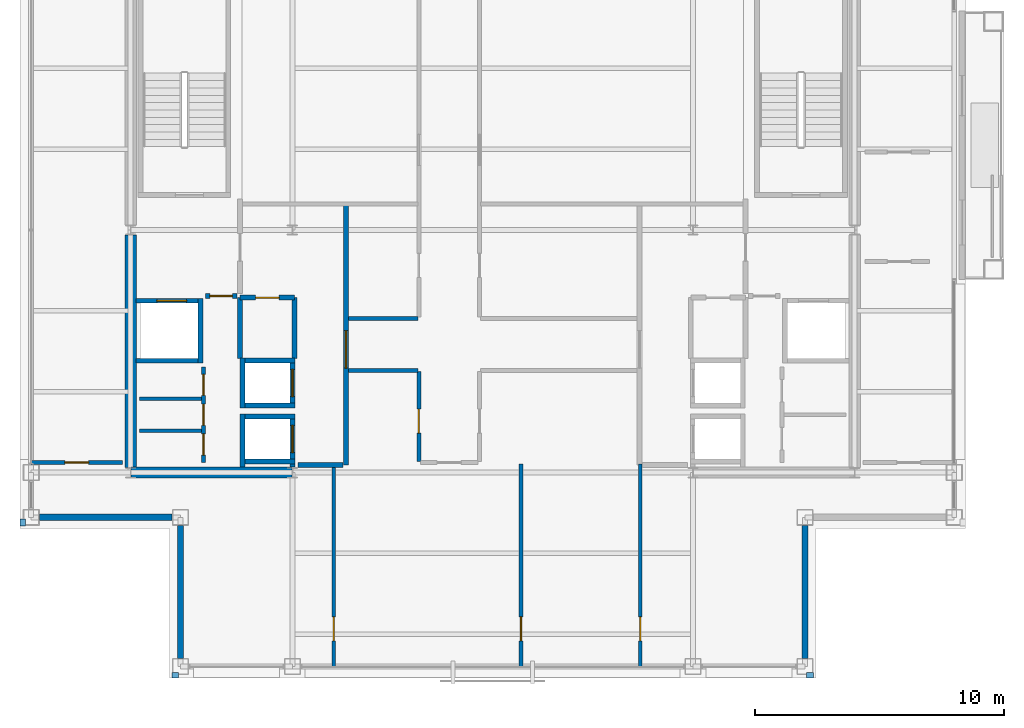
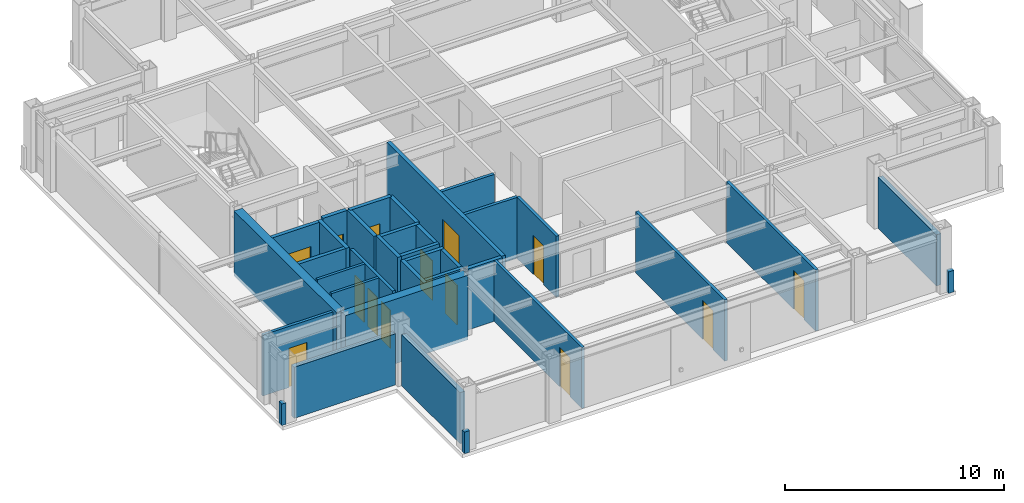
# One storey, part 19 of 24: 35 walls, 14 doors, 14 openings.
"""IFC4 building model written with IfcOpenShell, lengths in metres."""

from ifc_helpers import new_model, si_unit, direction, frame, frame_2d, origin, place, context, subcontext, project, spatial, rectangle, extrude, material, layer, layer_set, type_object, element, fill, save


model = new_model("IFC4")

# Units and contexts
model_context = context("Model", 3, precision=1e-05, world=origin(), true_north=direction((0.0, 1.0)))
body_context = subcontext(model_context, "Body", "Model", "MODEL_VIEW")
ifc_project = project(units=[si_unit("LENGTHUNIT", "METRE"), si_unit("AREAUNIT", "SQUARE_METRE"), si_unit("VOLUMEUNIT", "CUBIC_METRE"), si_unit("PLANEANGLEUNIT", "RADIAN"), si_unit("MASSUNIT", "GRAM", prefix="KILO")], contexts=[model_context])

# Site, building, storey
site_placement = place(None, origin())
site = spatial("IfcSite", under=ifc_project, at=site_placement, CompositionType="ELEMENT")
building_placement = place(site_placement, origin())
building = spatial("IfcBuilding", under=site, at=building_placement, Name="Brelmoor Portico Tower", CompositionType="ELEMENT")
storey_placement = place(building_placement, frame((0.0, 0.0, 232.800048828125)))
storey = spatial("IfcBuildingStorey", under=building, at=storey_placement, Name="L61", CompositionType="ELEMENT", Elevation=232.800048828125)

# Walls
ifc_material_1 = material(Name="Concrete C50", Category="concrete")
ifc_layer_1 = layer(ifc_material_1, 0.449951171875)
ifc_layer_set_1 = layer_set([ifc_layer_1], Name="Concrete C50")
wall_type_1 = type_object("IfcWallType", Name="WL-CORE-450", PredefinedType="SHEAR", material=ifc_layer_set_1)
wall_1_placement = place(storey_placement, frame((-14.530029296875, -9.75, -0.199951171875), z_axis=(0.0, 0.0, 1.0), x_axis=(1.0, 0.0, 0.0)))
element("IfcWall", 1, at=wall_1_placement, inside=storey, type_object=wall_type_1, Name="L61 WC South Shear Wall", PredefinedType="SHEAR", context=body_context, shape_type="SweptSolid", body=[
    extrude(rectangle(XDim=6.4599609375, YDim=0.449951171875, at=frame_2d((3.22998046875, 0.0))), origin(), (0.0, 0.0, 1.0), 3.599853515625),
])
wall_2_placement = place(storey_placement, frame((-14.550048828125, -9.550048828125, -0.199951171875), z_axis=(0.0, 0.0, 1.0), x_axis=(0.0, 1.0, 0.0)))
element("IfcWall", 2, at=wall_2_placement, inside=storey, type_object=wall_type_1, Name="L61 WC Outer South Shear Wall", PredefinedType="SHEAR", context=body_context, shape_type="SweptSolid", body=[
    extrude(rectangle(XDim=9.35009765625, YDim=0.449951171875, at=frame_2d((4.675048828125, 0.0))), origin(), (0.0, 0.0, 1.0), 3.599853515625),
])
ifc_material_2 = material(Name="Precast Concrete C40 Insulated Facade Wall", Category="concrete")
ifc_layer_2 = layer(ifc_material_2, 0.25)
ifc_layer_set_2 = layer_set([ifc_layer_2], Name="Precast Concrete C40 Insulated Facade Wall")
wall_type_2 = type_object("IfcWallType", Name="WL-EXT-250", PredefinedType="STANDARD", material=ifc_layer_set_2)
for number, where, z_axis, x_axis, name in (
    (3, (-18.215087890625, -11.550048828125, 0.0), (0.0, 0.0, 1.0), (1.0, 0.0, 0.0), "L61 Corner Notch Facade Wall NSWH1"),
    (4, (-12.550048828125, -17.215087890625, 0.0), (0.0, 0.0, 1.0), (0.0, 1.0, 0.0), "L61 Corner Notch Facade Wall NSWV1"),
    (5, (12.550048828125, -17.215087890625, 0.0), (0.0, 0.0, 1.0), (0.0, 1.0, 0.0), "L61 Corner Notch Facade Wall NSEV1"),
):
    element("IfcWall", number, at=place(storey_placement, frame(where, z_axis=z_axis, x_axis=x_axis)), inside=storey, type_object=wall_type_2, Name=name, PredefinedType="STANDARD", context=body_context, shape_type="SweptSolid", body=[
        extrude(rectangle(XDim=5.330078125, YDim=0.25, at=frame_2d((2.6650390625, 0.0))), origin(), (0.0, 0.0, 1.0), 2.849853515625),
    ])
ifc_material_3 = material(Name="Concrete C40 Parapet Upstand", Category="concrete")
ifc_layer_3 = layer(ifc_material_3, 0.219970703125)
ifc_layer_set_3 = layer_set([ifc_layer_3], Name="Concrete C40 Parapet Upstand")
wall_type_3 = type_object("IfcWallType", Name="WL-PARAPET-220", PredefinedType="PARAPET", material=ifc_layer_set_3)
for number, where, z_axis, x_axis, name in (
    (6, (-12.889892578125, -17.889892578125, 0.0), (0.0, 0.0, 1.0), (1.0, 0.0, 0.0), "L61 Chamfer Vertex Parapet Pier SW1"),
    (7, (-18.889892578125, -11.889892578125, 0.0), (0.0, 0.0, 1.0), (0.0, 1.0, 0.0), "L61 Chamfer Vertex Parapet Pier SW2"),
    (8, (12.6201171875, -17.889892578125, 0.0), (0.0, 0.0, 1.0), (1.0, 0.0, 0.0), "L61 Chamfer Vertex Parapet Pier SE1"),
):
    element("IfcWall", number, at=place(storey_placement, frame(where, z_axis=z_axis, x_axis=x_axis)), inside=storey, type_object=wall_type_3, Name=name, PredefinedType="PARAPET", context=body_context, shape_type="SweptSolid", body=[
        extrude(rectangle(XDim=0.269775390625, YDim=0.219970703125, at=frame_2d((0.134765625, 0.0))), origin(), (0.0, 0.0, 1.0), 1.199951171875),
    ])
ifc_material_4 = material(Name="Insulated Stud Suite Partition", Category="gypsum")
ifc_layer_4 = layer(ifc_material_4, 0.139892578125)
ifc_layer_set_4 = layer_set([ifc_layer_4], Name="Insulated Stud Suite Partition")
wall_type_4 = type_object("IfcWallType", Name="WL-PART-140", PredefinedType="PARTITIONING", material=ifc_layer_set_4)
for number, where, z_axis, x_axis, name in (
    (9, (-11.699951171875, -8.066650390625, 0.0), (0.0, 0.0, 1.0), (-1.0, 0.0, 0.0), "L61 W Core WC Divider 1"),
    (10, (-11.699951171875, -6.783203125, 0.0), (0.0, 0.0, 1.0), (-1.0, 0.0, 0.0), "L61 W Core WC Divider 2"),
):
    element("IfcWall", number, at=place(storey_placement, frame(where, z_axis=z_axis, x_axis=x_axis)), inside=storey, type_object=wall_type_4, Name=name, PredefinedType="PARTITIONING", context=body_context, shape_type="SweptSolid", body=[
        extrude(rectangle(XDim=2.5, YDim=0.139892578125, at=frame_2d((1.25, 0.0))), origin(), (0.0, 0.0, 1.0), 3.39990234375),
    ])

# Wall, opening, door
ifc_material_5 = material(Name="Wet-Area Moisture-Resistant Partition", Category="gypsum")
ifc_layer_5 = layer(ifc_material_5, 0.14990234375)
ifc_layer_set_5 = layer_set([ifc_layer_5], Name="Wet-Area Moisture-Resistant Partition")
wall_type_5 = type_object("IfcWallType", Name="WL-PART-150", PredefinedType="PARTITIONING", material=ifc_layer_set_5)
wall_3_placement = place(storey_placement, frame((-6.3896484375, -17.56005859375, 0.0), z_axis=(0.0, 0.0, 1.0), x_axis=(0.0, 1.0, 0.0)))
wall_3 = element("IfcWall", 11, at=wall_3_placement, inside=storey, type_object=wall_type_5, Name="L61 South Suite Partition 1", PredefinedType="PARTITIONING", context=body_context, shape_type="SweptSolid", body=[
    extrude(rectangle(XDim=8.150146484375, YDim=0.14990234375, at=frame_2d((4.0751953125, 0.0))), origin(), (0.0, 0.0, 1.0), 3.39990234375),
])
opening_1_placement = place(wall_3_placement, frame((1.050048828125, 0.0, 0.0)))
opening_1 = element("IfcOpeningElement", 12, at=opening_1_placement, cuts=wall_3, Name="Opening D-IN2", PredefinedType="OPENING", context=body_context, shape_type="SweptSolid", body=[
    extrude(rectangle(XDim=0.9599609375, YDim=2.179931640625, at=frame_2d((0.47998046875, 1.08984375))), frame((0.0, 0.0849609375, 0.0), z_axis=(0.0, -1.0, 0.0), x_axis=(1.0, 0.0, 0.0)), (0.0, 0.0, 1.0), 0.169921875),
])
ifc_material_6 = material(Name="Lacquered Timber Suite Door", Category="wood")
door_type_1 = type_object("IfcDoorType", Name="DR-INT-950", OperationType="NOTDEFINED", PredefinedType="DOOR", material=ifc_material_6)
door_1_placement = place(opening_1_placement, origin())
door_1 = element("IfcDoor", 13, at=door_1_placement, inside=storey, type_object=door_type_1, Name="D-2536 L61 South Suite Connecting Door 1", OperationType="SINGLE_SWING_RIGHT", OverallHeight=2.179931640625, OverallWidth=0.9599609375, PredefinedType="DOOR", context=body_context, shape_type="SweptSolid", body=[
    extrude(rectangle(XDim=0.9599609375, YDim=2.179931640625, at=frame_2d((0.47998046875, 1.08984375))), frame((0.0, 0.02490234375, 0.0), z_axis=(0.0, -1.0, 0.0), x_axis=(1.0, 0.0, 0.0)), (0.0, 0.0, 1.0), 0.050048828125),
])
fill(opening_1, door_1)

wall_4_placement = place(storey_placement, frame((1.14111328125, -17.56005859375, 0.0), z_axis=(0.0, 0.0, 1.0), x_axis=(0.0, 1.0, 0.0)))
wall_4 = element("IfcWall", 14, at=wall_4_placement, inside=storey, type_object=wall_type_5, Name="L61 South Suite Partition 2", PredefinedType="PARTITIONING", context=body_context, shape_type="SweptSolid", body=[
    extrude(rectangle(XDim=8.150146484375, YDim=0.14990234375, at=frame_2d((4.0751953125, 0.0))), origin(), (0.0, 0.0, 1.0), 3.39990234375),
])
opening_2_placement = place(wall_4_placement, frame((1.050048828125, 0.0, 0.0)))
opening_2 = element("IfcOpeningElement", 15, at=opening_2_placement, cuts=wall_4, Name="Opening D-IN2", PredefinedType="OPENING", context=body_context, shape_type="SweptSolid", body=[
    extrude(rectangle(XDim=0.9599609375, YDim=2.179931640625, at=frame_2d((0.47998046875, 1.08984375))), frame((0.0, 0.0849609375, 0.0), z_axis=(0.0, -1.0, 0.0), x_axis=(1.0, 0.0, 0.0)), (0.0, 0.0, 1.0), 0.169921875),
])
door_2_placement = place(opening_2_placement, origin())
door_2 = element("IfcDoor", 16, at=door_2_placement, inside=storey, type_object=door_type_1, Name="D-2537 L61 South Suite Connecting Door 2", OperationType="SINGLE_SWING_LEFT", OverallHeight=2.179931640625, OverallWidth=0.9599609375, PredefinedType="DOOR", context=body_context, shape_type="SweptSolid", body=[
    extrude(rectangle(XDim=0.9599609375, YDim=2.179931640625, at=frame_2d((0.47998046875, 1.08984375))), frame((0.0, 0.02490234375, 0.0), z_axis=(0.0, -1.0, 0.0), x_axis=(1.0, 0.0, 0.0)), (0.0, 0.0, 1.0), 0.050048828125),
])
fill(opening_2, door_2)

wall_5_placement = place(storey_placement, frame((5.93310546875, -17.56005859375, 0.0), z_axis=(0.0, 0.0, 1.0), x_axis=(0.0, 1.0, 0.0)))
wall_5 = element("IfcWall", 17, at=wall_5_placement, inside=storey, type_object=wall_type_5, Name="L61 South Suite Partition 3", PredefinedType="PARTITIONING", context=body_context, shape_type="SweptSolid", body=[
    extrude(rectangle(XDim=8.150146484375, YDim=0.14990234375, at=frame_2d((4.0751953125, 0.0))), origin(), (0.0, 0.0, 1.0), 3.39990234375),
])
opening_3_placement = place(wall_5_placement, frame((1.050048828125, 0.0, 0.0)))
opening_3 = element("IfcOpeningElement", 18, at=opening_3_placement, cuts=wall_5, Name="Opening D-IN2", PredefinedType="OPENING", context=body_context, shape_type="SweptSolid", body=[
    extrude(rectangle(XDim=0.9599609375, YDim=2.179931640625, at=frame_2d((0.47998046875, 1.08984375))), frame((0.0, 0.0849609375, 0.0), z_axis=(0.0, -1.0, 0.0), x_axis=(1.0, 0.0, 0.0)), (0.0, 0.0, 1.0), 0.169921875),
])
door_3_placement = place(opening_3_placement, origin())
door_3 = element("IfcDoor", 19, at=door_3_placement, inside=storey, type_object=door_type_1, Name="D-2538 L61 South Suite Connecting Door 3", OperationType="SINGLE_SWING_RIGHT", OverallHeight=2.179931640625, OverallWidth=0.9599609375, PredefinedType="DOOR", context=body_context, shape_type="SweptSolid", body=[
    extrude(rectangle(XDim=0.9599609375, YDim=2.179931640625, at=frame_2d((0.47998046875, 1.08984375))), frame((0.0, 0.02490234375, 0.0), z_axis=(0.0, -1.0, 0.0), x_axis=(1.0, 0.0, 0.0)), (0.0, 0.0, 1.0), 0.050048828125),
])
fill(opening_3, door_3)

wall_6_placement = place(storey_placement, frame((-18.56005859375, -9.35009765625, 0.0), z_axis=(0.0, 0.0, 1.0), x_axis=(1.0, 0.0, 0.0)))
wall_6 = element("IfcWall", 20, at=wall_6_placement, inside=storey, type_object=wall_type_5, Name="L61 South Wing Closure WL", PredefinedType="PARTITIONING", context=body_context, shape_type="SweptSolid", body=[
    extrude(rectangle(XDim=3.68017578125, YDim=0.14990234375, at=frame_2d((1.840087890625, 0.0))), origin(), (0.0, 0.0, 1.0), 3.39990234375),
])
opening_4_placement = place(wall_6_placement, frame((1.360107421875, 0.0, 0.0)))
opening_4 = element("IfcOpeningElement", 21, at=opening_4_placement, cuts=wall_6, Name="Opening D-IN2", PredefinedType="OPENING", context=body_context, shape_type="SweptSolid", body=[
    extrude(rectangle(XDim=0.9599609375, YDim=2.179931640625, at=frame_2d((0.47998046875, 1.08984375))), frame((0.0, 0.0849609375, 0.0), z_axis=(0.0, -1.0, 0.0), x_axis=(1.0, 0.0, 0.0)), (0.0, 0.0, 1.0), 0.169921875),
])
door_4_placement = place(opening_4_placement, origin())
door_4 = element("IfcDoor", 22, at=door_4_placement, inside=storey, type_object=door_type_1, Name="D-2542 L61 WL Wing South Suite Door", OperationType="SINGLE_SWING_RIGHT", OverallHeight=2.179931640625, OverallWidth=0.9599609375, PredefinedType="DOOR", context=body_context, shape_type="SweptSolid", body=[
    extrude(rectangle(XDim=0.9599609375, YDim=2.179931640625, at=frame_2d((0.47998046875, 1.08984375))), frame((0.0, 0.02490234375, 0.0), z_axis=(0.0, -1.0, 0.0), x_axis=(1.0, 0.0, 0.0)), (0.0, 0.0, 1.0), 0.050048828125),
])
fill(opening_4, door_4)

# Wall, openings, doors
ifc_material_7 = material(Name="Twin-Frame Acoustic Partition", Category="gypsum")
ifc_layer_6 = layer(ifc_material_7, 0.159912109375)
ifc_layer_set_6 = layer_set([ifc_layer_6], Name="Twin-Frame Acoustic Partition")
wall_type_6 = type_object("IfcWallType", Name="WL-PART-160", PredefinedType="PARTITIONING", material=ifc_layer_set_6)
wall_7_placement = place(storey_placement, frame((-11.6201171875, -9.35009765625, 0.0), z_axis=(0.0, 0.0, 1.0), x_axis=(0.0, 1.0, 0.0)))
wall_7 = element("IfcWall", 23, at=wall_7_placement, inside=storey, type_object=wall_type_6, Name="L61 W Core Service Front Wall", PredefinedType="PARTITIONING", context=body_context, shape_type="SweptSolid", body=[
    extrude(rectangle(XDim=3.85009765625, YDim=0.159912109375, at=frame_2d((1.925048828125, 0.0))), origin(), (0.0, 0.0, 1.0), 3.39990234375),
])
opening_5_placement = place(wall_7_placement, frame((0.300048828125, 0.0, 0.0)))
opening_5 = element("IfcOpeningElement", 24, at=opening_5_placement, cuts=wall_7, Name="Opening D-WC1", PredefinedType="OPENING", context=body_context, shape_type="SweptSolid", body=[
    extrude(rectangle(XDim=0.85009765625, YDim=2.1201171875, at=frame_2d((0.425048828125, 1.06005859375))), frame((0.0, 0.08984375, 0.0), z_axis=(0.0, -1.0, 0.0), x_axis=(1.0, 0.0, 0.0)), (0.0, 0.0, 1.0), 0.179931640625),
])
opening_6_placement = place(wall_7_placement, frame((1.5, 0.0, 0.0)))
opening_6 = element("IfcOpeningElement", 25, at=opening_6_placement, cuts=wall_7, Name="Opening D-WC1", PredefinedType="OPENING", context=body_context, shape_type="SweptSolid", body=[
    extrude(rectangle(XDim=0.85009765625, YDim=2.1201171875, at=frame_2d((0.425048828125, 1.06005859375))), frame((0.0, 0.08984375, 0.0), z_axis=(0.0, -1.0, 0.0), x_axis=(1.0, 0.0, 0.0)), (0.0, 0.0, 1.0), 0.179931640625),
])
opening_7_placement = place(wall_7_placement, frame((2.699951171875, 0.0, 0.0)))
opening_7 = element("IfcOpeningElement", 26, at=opening_7_placement, cuts=wall_7, Name="Opening D-WC1", PredefinedType="OPENING", context=body_context, shape_type="SweptSolid", body=[
    extrude(rectangle(XDim=0.85009765625, YDim=2.1201171875, at=frame_2d((0.425048828125, 1.06005859375))), frame((0.0, 0.08984375, 0.0), z_axis=(0.0, -1.0, 0.0), x_axis=(1.0, 0.0, 0.0)), (0.0, 0.0, 1.0), 0.179931640625),
])
ifc_material_8 = material(Name="Moisture-Resistant Laminate WC Door", Category="timber")
door_type_2 = type_object("IfcDoorType", Name="DR-WC-850", OperationType="NOTDEFINED", PredefinedType="DOOR", material=ifc_material_8)
door_5_placement = place(opening_5_placement, origin())
door_5 = element("IfcDoor", 27, at=door_5_placement, inside=storey, type_object=door_type_2, Name="D-2522 L61 W Accessible WC Door", OperationType="SINGLE_SWING_RIGHT", OverallHeight=2.1201171875, OverallWidth=0.85009765625, PredefinedType="DOOR", context=body_context, shape_type="SweptSolid", body=[
    extrude(rectangle(XDim=0.85009765625, YDim=2.1201171875, at=frame_2d((0.425048828125, 1.06005859375))), frame((0.0, 0.02490234375, 0.0), z_axis=(0.0, -1.0, 0.0), x_axis=(1.0, 0.0, 0.0)), (0.0, 0.0, 1.0), 0.050048828125),
])
fill(opening_5, door_5)
door_6_placement = place(opening_6_placement, origin())
door_6 = element("IfcDoor", 28, at=door_6_placement, inside=storey, type_object=door_type_2, Name="D-2523 L61 W Staff WC Door", OperationType="SINGLE_SWING_LEFT", OverallHeight=2.1201171875, OverallWidth=0.85009765625, PredefinedType="DOOR", context=body_context, shape_type="SweptSolid", body=[
    extrude(rectangle(XDim=0.85009765625, YDim=2.1201171875, at=frame_2d((0.425048828125, 1.06005859375))), frame((0.0, 0.02490234375, 0.0), z_axis=(0.0, -1.0, 0.0), x_axis=(1.0, 0.0, 0.0)), (0.0, 0.0, 1.0), 0.050048828125),
])
fill(opening_6, door_6)
door_7_placement = place(opening_7_placement, origin())
door_7 = element("IfcDoor", 29, at=door_7_placement, inside=storey, type_object=door_type_2, Name="D-2524 L61 W Cleaner Store Door", OperationType="SINGLE_SWING_RIGHT", OverallHeight=2.1201171875, OverallWidth=0.85009765625, PredefinedType="DOOR", context=body_context, shape_type="SweptSolid", body=[
    extrude(rectangle(XDim=0.85009765625, YDim=2.1201171875, at=frame_2d((0.425048828125, 1.06005859375))), frame((0.0, 0.02490234375, 0.0), z_axis=(0.0, -1.0, 0.0), x_axis=(1.0, 0.0, 0.0)), (0.0, 0.0, 1.0), 0.050048828125),
])
fill(opening_7, door_7)

# Wall
wall_8_placement = place(storey_placement, frame((-5.800048828125, -3.550048828125, 0.0), z_axis=(0.0, 0.0, 1.0), x_axis=(1.0, 0.0, 0.0)))
element("IfcWall", 30, at=wall_8_placement, inside=storey, type_object=wall_type_6, Name="L61 West Pantry South Wall", PredefinedType="PARTITIONING", context=body_context, shape_type="SweptSolid", body=[
    extrude(rectangle(XDim=2.7900390625, YDim=0.159912109375, at=frame_2d((1.39501953125, 0.0))), origin(), (0.0, 0.0, 1.0), 3.39990234375),
])

# Wall, opening, door
wall_9_placement = place(storey_placement, frame((-2.969970703125, -9.31005859375, 0.0), z_axis=(0.0, 0.0, 1.0), x_axis=(0.0, 1.0, 0.0)))
wall_9 = element("IfcWall", 31, at=wall_9_placement, inside=storey, type_object=wall_type_6, Name="L61 South Cross West Wall", PredefinedType="PARTITIONING", context=body_context, shape_type="SweptSolid", body=[
    extrude(rectangle(XDim=3.630126953125, YDim=0.159912109375, at=frame_2d((1.81494140625, 0.0))), origin(), (0.0, 0.0, 1.0), 3.39990234375),
])
opening_8_placement = place(wall_9_placement, frame((1.14990234375, 0.0, 0.0)))
opening_8 = element("IfcOpeningElement", 32, at=opening_8_placement, cuts=wall_9, Name="Opening D-IN2", PredefinedType="OPENING", context=body_context, shape_type="SweptSolid", body=[
    extrude(rectangle(XDim=0.9599609375, YDim=2.179931640625, at=frame_2d((0.47998046875, 1.08984375))), frame((0.0, 0.08984375, 0.0), z_axis=(0.0, -1.0, 0.0), x_axis=(1.0, 0.0, 0.0)), (0.0, 0.0, 1.0), 0.179931640625),
])
door_8_placement = place(opening_8_placement, origin())
door_8 = element("IfcDoor", 33, at=door_8_placement, inside=storey, type_object=door_type_1, Name="D-2515 L61 South-West Archive Room Door", OperationType="SINGLE_SWING_RIGHT", OverallHeight=2.179931640625, OverallWidth=0.9599609375, PredefinedType="DOOR", context=body_context, shape_type="SweptSolid", body=[
    extrude(rectangle(XDim=0.9599609375, YDim=2.179931640625, at=frame_2d((0.47998046875, 1.08984375))), frame((0.0, 0.02490234375, 0.0), z_axis=(0.0, -1.0, 0.0), x_axis=(1.0, 0.0, 0.0)), (0.0, 0.0, 1.0), 0.050048828125),
])
fill(opening_8, door_8)

# Wall
wall_10_placement = place(storey_placement, frame((-5.800048828125, -5.64990234375, 0.0), z_axis=(0.0, 0.0, 1.0), x_axis=(1.0, 0.0, 0.0)))
element("IfcWall", 34, at=wall_10_placement, inside=storey, type_object=wall_type_6, Name="L61 South-West Chamber Top Wall", PredefinedType="PARTITIONING", context=body_context, shape_type="SweptSolid", body=[
    extrude(rectangle(XDim=2.7900390625, YDim=0.159912109375, at=frame_2d((1.39501953125, 0.0))), origin(), (0.0, 0.0, 1.0), 3.39990234375),
])

# Wall, opening, door
ifc_material_9 = material(Name="Double-Stud Gypsum Fire Partition", Category="gypsum")
ifc_layer_7 = layer(ifc_material_9, 0.199951171875)
ifc_layer_set_7 = layer_set([ifc_layer_7], Name="Double-Stud Gypsum Fire Partition")
wall_type_7 = type_object("IfcWallType", Name="WL-PART-200", PredefinedType="PARTITIONING", material=ifc_layer_set_7)
wall_11_placement = place(storey_placement, frame((-5.89990234375, -9.449951171875, 0.0), z_axis=(0.0, 0.0, 1.0), x_axis=(0.0, 1.0, 0.0)))
wall_11 = element("IfcWall", 35, at=wall_11_placement, inside=storey, type_object=wall_type_7, Name="L61 W Core Lobby Compartment Wall", PredefinedType="PARTITIONING", context=body_context, shape_type="SweptSolid", body=[
    extrude(rectangle(XDim=10.5, YDim=0.199951171875, at=frame_2d((5.25, 0.0))), origin(), (0.0, 0.0, 1.0), 3.39990234375),
])
opening_9_placement = place(wall_11_placement, frame((3.89990234375, 0.0, 0.0)))
opening_9 = element("IfcOpeningElement", 36, at=opening_9_placement, cuts=wall_11, Name="Opening D-LB1", PredefinedType="OPENING", context=body_context, shape_type="SweptSolid", body=[
    extrude(rectangle(XDim=1.5, YDim=2.199951171875, at=frame_2d((0.75, 1.10009765625))), frame((0.0, 0.10986328125, 0.0), z_axis=(0.0, -1.0, 0.0), x_axis=(1.0, 0.0, 0.0)), (0.0, 0.0, 1.0), 0.219970703125),
])
ifc_material_10 = material(Name="Double-Leaf Glazed Steel Fire Door", Category="steel")
door_type_3 = type_object("IfcDoorType", Name="DR-LOBBY-1500", OperationType="NOTDEFINED", PredefinedType="DOOR", material=ifc_material_10)
door_9_placement = place(opening_9_placement, origin())
door_9 = element("IfcDoor", 37, at=door_9_placement, inside=storey, type_object=door_type_3, Name="D-2530 L61 W Lift Lobby Main Door", OperationType="DOUBLE_DOOR_SINGLE_SWING", OverallHeight=2.199951171875, OverallWidth=1.5, PredefinedType="DOOR", context=body_context, shape_type="SweptSolid", body=[
    extrude(rectangle(XDim=1.5, YDim=2.199951171875, at=frame_2d((0.75, 1.10009765625))), frame((0.0, 0.02490234375, 0.0), z_axis=(0.0, -1.0, 0.0), x_axis=(1.0, 0.0, 0.0)), (0.0, 0.0, 1.0), 0.050048828125),
])
fill(opening_9, door_9)

# Wall
wall_12_placement = place(storey_placement, frame((-6.02001953125, -9.449951171875, 0.0), z_axis=(0.0, 0.0, 1.0), x_axis=(-1.0, 0.0, 0.0)))
element("IfcWall", 38, at=wall_12_placement, inside=storey, type_object=wall_type_7, Name="L61 W Lift Lobby South End Wall", PredefinedType="PARTITIONING", context=body_context, shape_type="SweptSolid", body=[
    extrude(rectangle(XDim=1.800048828125, YDim=0.199951171875, at=frame_2d((0.89990234375, 0.0))), origin(), (0.0, 0.0, 1.0), 3.39990234375),
])

# Wall, opening, door
wall_13_placement = place(storey_placement, frame((-10.280029296875, -2.64990234375, 0.0), z_axis=(0.0, 0.0, 1.0), x_axis=(-1.0, 0.0, 0.0)))
wall_13 = element("IfcWall", 39, at=wall_13_placement, inside=storey, type_object=wall_type_7, Name="L61 W Firefighting Lobby South Wall", PredefinedType="PARTITIONING", context=body_context, shape_type="SweptSolid", body=[
    extrude(rectangle(XDim=1.27001953125, YDim=0.199951171875, at=frame_2d((0.635009765625, 0.0))), origin(), (0.0, 0.0, 1.0), 3.39990234375),
])
opening_10_placement = place(wall_13_placement, frame((0.18505859375, 0.0, 0.0)))
opening_10 = element("IfcOpeningElement", 40, at=opening_10_placement, cuts=wall_13, Name="Opening D-IN1", PredefinedType="OPENING", context=body_context, shape_type="SweptSolid", body=[
    extrude(rectangle(XDim=0.89990234375, YDim=2.14990234375, at=frame_2d((0.449951171875, 1.074951171875))), frame((0.0, 0.10986328125, 0.0), z_axis=(0.0, -1.0, 0.0), x_axis=(1.0, 0.0, 0.0)), (0.0, 0.0, 1.0), 0.219970703125),
])
door_type_4 = type_object("IfcDoorType", Name="DR-INT-900", OperationType="NOTDEFINED", PredefinedType="DOOR", material=ifc_material_6)
door_10_placement = place(opening_10_placement, origin())
door_10 = element("IfcDoor", 41, at=door_10_placement, inside=storey, type_object=door_type_4, Name="D-2521 L61 W Core Service Vestibule Door", OperationType="SINGLE_SWING_RIGHT", OverallHeight=2.14990234375, OverallWidth=0.89990234375, PredefinedType="DOOR", context=body_context, shape_type="SweptSolid", body=[
    extrude(rectangle(XDim=0.89990234375, YDim=2.14990234375, at=frame_2d((0.449951171875, 1.074951171875))), frame((0.0, 0.02490234375, 0.0), z_axis=(0.0, -1.0, 0.0), x_axis=(1.0, 0.0, 0.0)), (0.0, 0.0, 1.0), 0.050048828125),
])
fill(opening_10, door_10)

wall_14_placement = place(storey_placement, frame((-7.9599609375, -2.719970703125, 0.0), z_axis=(0.0, 0.0, 1.0), x_axis=(-1.0, 0.0, 0.0)))
wall_14 = element("IfcWall", 42, at=wall_14_placement, inside=storey, type_object=wall_type_7, Name="L61 W Electrical Switchgear Closet Wall", PredefinedType="PARTITIONING", context=body_context, shape_type="SweptSolid", body=[
    extrude(rectangle(XDim=2.199951171875, YDim=0.199951171875, at=frame_2d((1.10009765625, 0.0))), origin(), (0.0, 0.0, 1.0), 3.39990234375),
])
opening_11_placement = place(wall_14_placement, frame((0.6201171875, 0.0, 0.0)))
opening_11 = element("IfcOpeningElement", 43, at=opening_11_placement, cuts=wall_14, Name="Opening D-FR4", PredefinedType="OPENING", context=body_context, shape_type="SweptSolid", body=[
    extrude(rectangle(XDim=0.949951171875, YDim=2.10009765625, at=frame_2d((0.47509765625, 1.050048828125))), frame((0.0, 0.10986328125, 0.0), z_axis=(0.0, -1.0, 0.0), x_axis=(1.0, 0.0, 0.0)), (0.0, 0.0, 1.0), 0.219970703125),
])
ifc_material_11 = material(Name="Painted Galvanised Steel Riser Door", Category="steel")
door_type_5 = type_object("IfcDoorType", Name="DR-FIRE-950", OperationType="NOTDEFINED", PredefinedType="DOOR", material=ifc_material_11)
door_11_placement = place(opening_11_placement, origin())
door_11 = element("IfcDoor", 44, at=door_11_placement, inside=storey, type_object=door_type_5, Name="D-2526 L61 W Electrical Switchgear Closet Door", OperationType="SINGLE_SWING_LEFT", OverallHeight=2.10009765625, OverallWidth=0.949951171875, PredefinedType="DOOR", context=body_context, shape_type="SweptSolid", body=[
    extrude(rectangle(XDim=0.949951171875, YDim=2.10009765625, at=frame_2d((0.47509765625, 1.050048828125))), frame((0.0, 0.02490234375, 0.0), z_axis=(0.0, -1.0, 0.0), x_axis=(1.0, 0.0, 0.0)), (0.0, 0.0, 1.0), 0.050048828125),
])
fill(opening_11, door_11)

# Walls
for number, where, z_axis, x_axis, name in (
    (45, (-7.9599609375, -5.159912109375, 0.0), (0.0, 0.0, 1.0), (0.0, 1.0, 0.0), "L61 W Electrical Switchgear Closet Inner Wall"),
    (46, (-10.159912109375, -5.159912109375, 0.0), (0.0, 0.0, 1.0), (0.0, 1.0, 0.0), "L61 W Electrical Switchgear Closet Outer Wall"),
):
    element("IfcWall", number, at=place(storey_placement, frame(where, z_axis=z_axis, x_axis=x_axis)), inside=storey, type_object=wall_type_7, Name=name, PredefinedType="PARTITIONING", context=body_context, shape_type="SweptSolid", body=[
        extrude(rectangle(XDim=2.43994140625, YDim=0.199951171875, at=frame_2d((1.219970703125, 0.0))), origin(), (0.0, 0.0, 1.0), 3.39990234375),
    ])

# Wall, opening, door
ifc_material_12 = material(Name="Precast Concrete C40", Category="concrete")
ifc_layer_8 = layer(ifc_material_12, 0.18994140625)
ifc_layer_set_8 = layer_set([ifc_layer_8], Name="Precast Concrete C40")
wall_type_8 = type_object("IfcWallType", Name="WL-SHAFT-180", PredefinedType="SOLIDWALL", material=ifc_layer_set_8)
wall_15_placement = place(storey_placement, frame((-8.044921875, -9.52001953125, -0.199951171875), z_axis=(0.0, 0.0, 1.0), x_axis=(0.0, 1.0, 0.0)))
wall_15 = element("IfcWall", 47, at=wall_15_placement, inside=storey, type_object=wall_type_8, Name="L61 Lift PH1 Hoistway Front Wall", PredefinedType="SOLIDWALL", context=body_context, shape_type="SweptSolid", body=[
    extrude(rectangle(XDim=2.1201171875, YDim=0.18994140625, at=frame_2d((1.06005859375, 0.0))), origin(), (0.0, 0.0, 1.0), 3.599853515625),
])
opening_12_placement = place(wall_15_placement, frame((0.570068359375, 0.0, 0.199951171875)))
opening_12 = element("IfcOpeningElement", 48, at=opening_12_placement, cuts=wall_15, Name="Opening LD-01", PredefinedType="OPENING", context=body_context, shape_type="SweptSolid", body=[
    extrude(rectangle(XDim=1.10009765625, YDim=2.199951171875, at=frame_2d((0.550048828125, 1.10009765625))), frame((0.0, 0.10498046875, 0.0), z_axis=(0.0, -1.0, 0.0), x_axis=(1.0, 0.0, 0.0)), (0.0, 0.0, 1.0), 0.2099609375),
])
ifc_material_13 = material(Name="Brushed Stainless Steel Sliding Lift Door", Category="steel")
door_type_6 = type_object("IfcDoorType", Name="DR-LIFT-1100", OperationType="NOTDEFINED", PredefinedType="DOOR", material=ifc_material_13)
door_12_placement = place(opening_12_placement, origin())
door_12 = element("IfcDoor", 49, at=door_12_placement, inside=storey, type_object=door_type_6, Name="D-2549 L61 Lift PH1 Sliding Landing Door", OperationType="SLIDING_TO_LEFT", OverallHeight=2.199951171875, OverallWidth=1.10009765625, PredefinedType="DOOR", context=body_context, shape_type="SweptSolid", body=[
    extrude(rectangle(XDim=1.10009765625, YDim=2.199951171875, at=frame_2d((0.550048828125, 1.10009765625))), frame((0.0, 0.02490234375, 0.0), z_axis=(0.0, -1.0, 0.0), x_axis=(1.0, 0.0, 0.0)), (0.0, 0.0, 1.0), 0.050048828125),
])
fill(opening_12, door_12)

# Walls
wall_16_placement = place(storey_placement, frame((-10.054931640625, -9.52001953125, -0.199951171875), z_axis=(0.0, 0.0, 1.0), x_axis=(0.0, 1.0, 0.0)))
element("IfcWall", 50, at=wall_16_placement, inside=storey, type_object=wall_type_8, Name="L61 Lift PH1 Hoistway Back Wall", PredefinedType="SOLIDWALL", context=body_context, shape_type="SweptSolid", body=[
    extrude(rectangle(XDim=2.1201171875, YDim=0.18994140625, at=frame_2d((1.06005859375, 0.0))), origin(), (0.0, 0.0, 1.0), 3.599853515625),
])
for number, where, z_axis, x_axis, name in (
    (51, (-10.14990234375, -7.4951171875, -0.199951171875), (0.0, 0.0, 1.0), (1.0, 0.0, 0.0), "L61 Lift PH1 Hoistway North Wall"),
    (52, (-10.14990234375, -9.304931640625, -0.199951171875), (0.0, 0.0, 1.0), (1.0, 0.0, 0.0), "L61 Lift PH1 Hoistway South Wall"),
):
    element("IfcWall", number, at=place(storey_placement, frame(where, z_axis=z_axis, x_axis=x_axis)), inside=storey, type_object=wall_type_8, Name=name, PredefinedType="SOLIDWALL", context=body_context, shape_type="SweptSolid", body=[
        extrude(rectangle(XDim=2.199951171875, YDim=0.18994140625, at=frame_2d((1.10009765625, 0.0))), origin(), (0.0, 0.0, 1.0), 3.599853515625),
    ])

# Wall, opening, door
wall_17_placement = place(storey_placement, frame((-8.044921875, -7.14990234375, -0.199951171875), z_axis=(0.0, 0.0, 1.0), x_axis=(0.0, 1.0, 0.0)))
wall_17 = element("IfcWall", 53, at=wall_17_placement, inside=storey, type_object=wall_type_8, Name="L61 Lift PH2 Hoistway Front Wall", PredefinedType="SOLIDWALL", context=body_context, shape_type="SweptSolid", body=[
    extrude(rectangle(XDim=2.0, YDim=0.18994140625, at=frame_2d((1.0, 0.0))), origin(), (0.0, 0.0, 1.0), 3.599853515625),
])
opening_13_placement = place(wall_17_placement, frame((0.449951171875, 0.0, 0.199951171875)))
opening_13 = element("IfcOpeningElement", 54, at=opening_13_placement, cuts=wall_17, Name="Opening LD-01", PredefinedType="OPENING", context=body_context, shape_type="SweptSolid", body=[
    extrude(rectangle(XDim=1.10009765625, YDim=2.199951171875, at=frame_2d((0.550048828125, 1.10009765625))), frame((0.0, 0.10498046875, 0.0), z_axis=(0.0, -1.0, 0.0), x_axis=(1.0, 0.0, 0.0)), (0.0, 0.0, 1.0), 0.2099609375),
])
door_13_placement = place(opening_13_placement, origin())
door_13 = element("IfcDoor", 55, at=door_13_placement, inside=storey, type_object=door_type_6, Name="D-2550 L61 Lift PH2 Sliding Landing Door", OperationType="SLIDING_TO_LEFT", OverallHeight=2.199951171875, OverallWidth=1.10009765625, PredefinedType="DOOR", context=body_context, shape_type="SweptSolid", body=[
    extrude(rectangle(XDim=1.10009765625, YDim=2.199951171875, at=frame_2d((0.550048828125, 1.10009765625))), frame((0.0, 0.02490234375, 0.0), z_axis=(0.0, -1.0, 0.0), x_axis=(1.0, 0.0, 0.0)), (0.0, 0.0, 1.0), 0.050048828125),
])
fill(opening_13, door_13)

# Walls
wall_18_placement = place(storey_placement, frame((-10.054931640625, -7.14990234375, -0.199951171875), z_axis=(0.0, 0.0, 1.0), x_axis=(0.0, 1.0, 0.0)))
element("IfcWall", 56, at=wall_18_placement, inside=storey, type_object=wall_type_8, Name="L61 Lift PH2 Hoistway Back Wall", PredefinedType="SOLIDWALL", context=body_context, shape_type="SweptSolid", body=[
    extrude(rectangle(XDim=2.0, YDim=0.18994140625, at=frame_2d((1.0, 0.0))), origin(), (0.0, 0.0, 1.0), 3.599853515625),
])
for number, where, z_axis, x_axis, name in (
    (57, (-10.14990234375, -5.2451171875, -0.199951171875), (0.0, 0.0, 1.0), (1.0, 0.0, 0.0), "L61 Lift PH2 Hoistway North Wall"),
    (58, (-10.14990234375, -7.054931640625, -0.199951171875), (0.0, 0.0, 1.0), (1.0, 0.0, 0.0), "L61 Lift PH2 Hoistway South Wall"),
):
    element("IfcWall", number, at=place(storey_placement, frame(where, z_axis=z_axis, x_axis=x_axis)), inside=storey, type_object=wall_type_8, Name=name, PredefinedType="SOLIDWALL", context=body_context, shape_type="SweptSolid", body=[
        extrude(rectangle(XDim=2.199951171875, YDim=0.18994140625, at=frame_2d((1.10009765625, 0.0))), origin(), (0.0, 0.0, 1.0), 3.599853515625),
    ])

# Wall, opening, door
wall_19_placement = place(storey_placement, frame((-14.330078125, -2.844970703125, -0.199951171875), z_axis=(0.0, 0.0, 1.0), x_axis=(1.0, 0.0, 0.0)))
wall_19 = element("IfcWall", 59, at=wall_19_placement, inside=storey, type_object=wall_type_8, Name="L61 Lift FF1 Hoistway Front Wall", PredefinedType="SOLIDWALL", context=body_context, shape_type="SweptSolid", body=[
    extrude(rectangle(XDim=2.68017578125, YDim=0.18994140625, at=frame_2d((1.340087890625, 0.0))), origin(), (0.0, 0.0, 1.0), 3.599853515625),
])
opening_14_placement = place(wall_19_placement, frame((0.830078125, 0.0, 0.199951171875)))
opening_14 = element("IfcOpeningElement", 60, at=opening_14_placement, cuts=wall_19, Name="Opening LD-02", PredefinedType="OPENING", context=body_context, shape_type="SweptSolid", body=[
    extrude(rectangle(XDim=1.199951171875, YDim=2.199951171875, at=frame_2d((0.60009765625, 1.10009765625))), frame((0.0, 0.10498046875, 0.0), z_axis=(0.0, -1.0, 0.0), x_axis=(1.0, 0.0, 0.0)), (0.0, 0.0, 1.0), 0.2099609375),
])
ifc_material_14 = material(Name="Brushed Stainless Steel Firefighting Lift Door", Category="steel")
door_type_7 = type_object("IfcDoorType", Name="DR-LIFT-1200", OperationType="NOTDEFINED", PredefinedType="DOOR", material=ifc_material_14)
door_14_placement = place(opening_14_placement, origin())
door_14 = element("IfcDoor", 61, at=door_14_placement, inside=storey, type_object=door_type_7, Name="D-2547 L61 Lift FF1 Sliding Landing Door", OperationType="SLIDING_TO_LEFT", OverallHeight=2.199951171875, OverallWidth=1.199951171875, PredefinedType="DOOR", context=body_context, shape_type="SweptSolid", body=[
    extrude(rectangle(XDim=1.199951171875, YDim=2.199951171875, at=frame_2d((0.60009765625, 1.10009765625))), frame((0.0, 0.02490234375, 0.0), z_axis=(0.0, -1.0, 0.0), x_axis=(1.0, 0.0, 0.0)), (0.0, 0.0, 1.0), 0.050048828125),
])
fill(opening_14, door_14)

# Walls
wall_20_placement = place(storey_placement, frame((-14.330078125, -5.2548828125, -0.199951171875), z_axis=(0.0, 0.0, 1.0), x_axis=(1.0, 0.0, 0.0)))
element("IfcWall", 62, at=wall_20_placement, inside=storey, type_object=wall_type_8, Name="L61 Firefighting Lift FF1 South Wall", PredefinedType="SOLIDWALL", context=body_context, shape_type="SweptSolid", body=[
    extrude(rectangle(XDim=2.68017578125, YDim=0.18994140625, at=frame_2d((1.340087890625, 0.0))), origin(), (0.0, 0.0, 1.0), 3.599853515625),
])
wall_21_placement = place(storey_placement, frame((-11.7451171875, -5.35009765625, -0.199951171875), z_axis=(0.0, 0.0, 1.0), x_axis=(0.0, 1.0, 0.0)))
element("IfcWall", 63, at=wall_21_placement, inside=storey, type_object=wall_type_8, Name="L61 Firefighting Lift FF1 Inner Wall", PredefinedType="SOLIDWALL", context=body_context, shape_type="SweptSolid", body=[
    extrude(rectangle(XDim=2.60009765625, YDim=0.18994140625, at=frame_2d((1.300048828125, 0.0))), origin(), (0.0, 0.0, 1.0), 3.599853515625),
])

save(model, "model.ifc")
